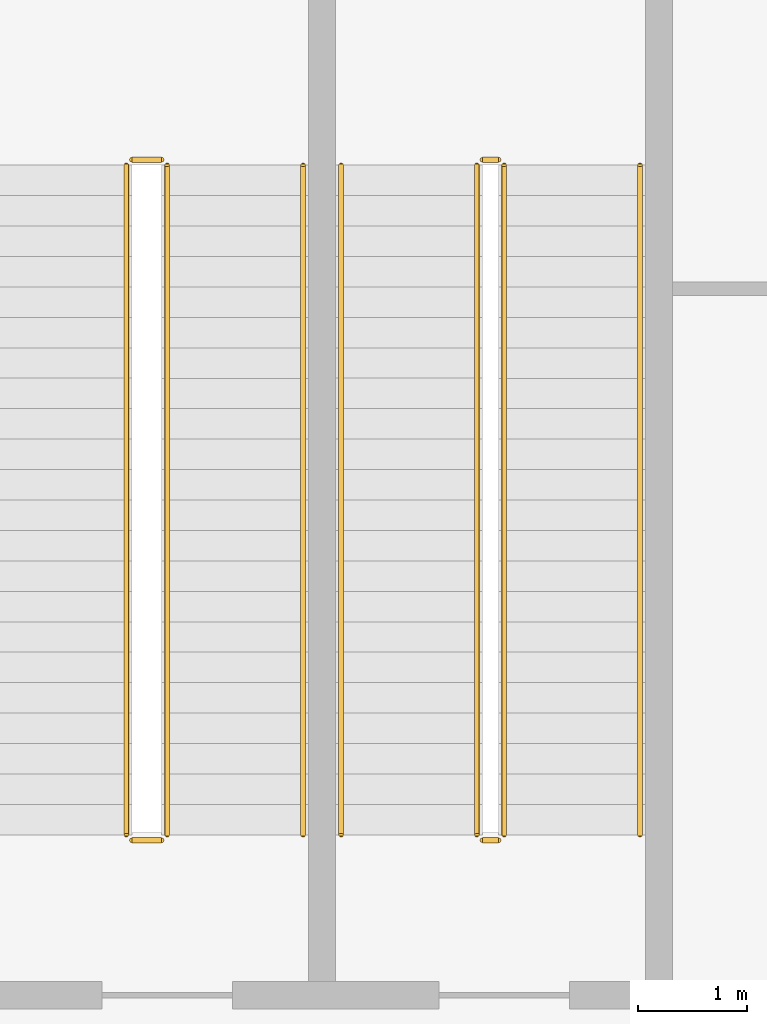
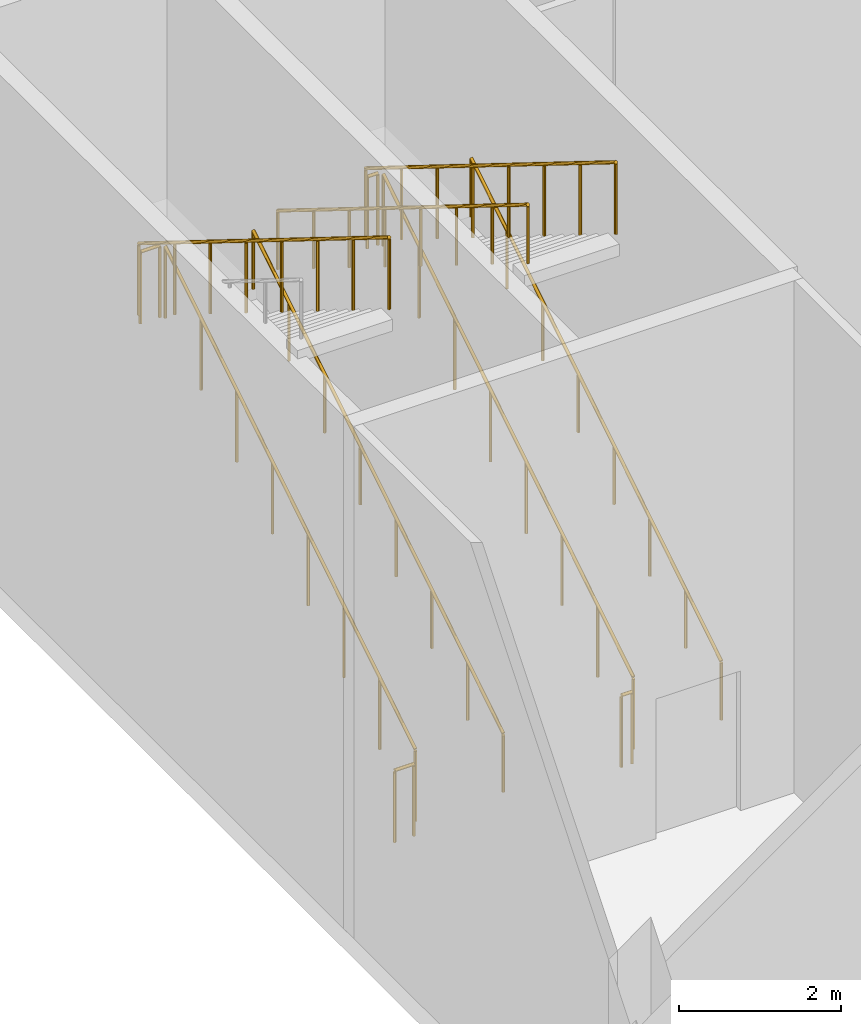
# One storey, part 51 of 52: 11 railings.
"""IFC4 building model written with IfcOpenShell, lengths in metres."""

from ifc_helpers import new_model, si_unit, direction, frame, origin, origin_2d, place, context, subcontext, project, spatial, circle, extrude, material, type_object, element, save


model = new_model("IFC4")

# Units and contexts
model_context = context("Model", 3, precision=1e-05, world=origin(), true_north=direction((0.0, 1.0)))
body_context = subcontext(model_context, "Body", "Model", "MODEL_VIEW")
ifc_project = project(units=[si_unit("LENGTHUNIT", "METRE"), si_unit("AREAUNIT", "SQUARE_METRE"), si_unit("VOLUMEUNIT", "CUBIC_METRE"), si_unit("PLANEANGLEUNIT", "RADIAN"), si_unit("MASSUNIT", "GRAM", prefix="KILO")], contexts=[model_context])

# Site, building, storey
site_placement = place(None, origin())
site = spatial("IfcSite", under=ifc_project, at=site_placement, CompositionType="ELEMENT")
building_placement = place(site_placement, origin())
building = spatial("IfcBuilding", under=site, at=building_placement, Name="Candeia Pilgrim Tower and Theatre", CompositionType="ELEMENT")
storey_placement = place(building_placement, frame((0.0, 0.0, 9.0)))
storey = spatial("IfcBuildingStorey", under=building, at=storey_placement, Name="L01", CompositionType="ELEMENT", Elevation=9.0)

# Railings
ifc_material = material(Name="Steel S355", Category="steel")
railing_type_1 = type_object("IfcRailingType", Name="Guard 1100 steel balustrade", PredefinedType="GUARDRAIL", material=ifc_material)
railing_1_placement = place(storey_placement, frame((177.800048828125, 107.77490234375, 0.173828125)))
element("IfcRailing", 1, at=railing_1_placement, inside=storey, type_object=railing_type_1, Name="L01 TS1 stair guard 1", PredefinedType="GUARDRAIL", context=body_context, shape_type="SweptSolid", body=[
    extrude(circle(Radius=0.02392578125, at=origin_2d()), frame((0.0, 0.0, 1.076171875), z_axis=(0.0, 0.849477832307, 0.527624309921), x_axis=(-1.0, 0.0, 0.0)), (0.0, 0.0, 1.0), 7.251708984375),
    extrude(circle(Radius=0.02099609375, at=origin_2d()), origin(), (0.0, 0.0, 1.0), 1.052001953125),
    extrude(circle(Radius=0.02099609375, at=origin_2d()), frame((0.0, 0.880126953125, 0.546630859375)), (0.0, 0.0, 1.0), 1.052001953125),
    extrude(circle(Radius=0.02099609375, at=origin_2d()), frame((0.0, 1.760009765625, 1.09326171875)), (0.0, 0.0, 1.0), 1.052001953125),
    extrude(circle(Radius=0.02099609375, at=origin_2d()), frame((0.0, 2.64013671875, 1.639892578125)), (0.0, 0.0, 1.0), 1.052001953125),
    extrude(circle(Radius=0.02099609375, at=origin_2d()), frame((0.0, 3.52001953125, 2.186279296875)), (0.0, 0.0, 1.0), 1.052001953125),
    extrude(circle(Radius=0.02099609375, at=origin_2d()), frame((0.0, 4.400146484375, 2.73291015625)), (0.0, 0.0, 1.0), 1.052001953125),
    extrude(circle(Radius=0.02099609375, at=origin_2d()), frame((0.0, 5.280029296875, 3.279541015625)), (0.0, 0.0, 1.0), 1.052001953125),
    extrude(circle(Radius=0.02099609375, at=origin_2d()), frame((0.0, 6.16015625, 3.826171875)), (0.0, 0.0, 1.0), 1.052001953125),
])
railing_2_placement = place(storey_placement, frame((177.75, 113.985107421875, 4.0)))
element("IfcRailing", 2, at=railing_2_placement, inside=storey, type_object=railing_type_1, Name="L01 TS1 stair guard 2", PredefinedType="GUARDRAIL", context=body_context, shape_type="SweptSolid", body=[
    extrude(circle(Radius=0.02392578125, at=origin_2d()), frame((0.0, 0.0, 1.076171875), z_axis=(-1.0, 0.0, 0.0), x_axis=(0.0, -1.0, 0.0)), (0.0, 0.0, 1.0), 0.27490234375),
    extrude(circle(Radius=0.02099609375, at=origin_2d()), origin(), (0.0, 0.0, 1.0), 1.052001953125),
    extrude(circle(Radius=0.02099609375, at=origin_2d()), frame((-0.27490234375, 0.0, 0.0)), (0.0, 0.0, 1.0), 1.052001953125),
])
railing_3_placement = place(storey_placement, frame((177.425048828125, 113.93505859375, 4.173828125)))
element("IfcRailing", 3, at=railing_3_placement, inside=storey, type_object=railing_type_1, Name="L01 TS1 stair guard 3", PredefinedType="GUARDRAIL", context=body_context, shape_type="SweptSolid", body=[
    extrude(circle(Radius=0.02392578125, at=origin_2d()), frame((0.0, 0.0, 1.076171875), z_axis=(0.0, -0.849477832307, 0.527624309921), x_axis=(1.0, 0.0, 0.0)), (0.0, 0.0, 1.0), 7.251708984375),
    extrude(circle(Radius=0.02099609375, at=origin_2d()), origin(), (0.0, 0.0, 1.0), 1.052001953125),
    extrude(circle(Radius=0.02099609375, at=origin_2d()), frame((0.0, -0.880126953125, 0.546630859375)), (0.0, 0.0, 1.0), 1.052001953125),
    extrude(circle(Radius=0.02099609375, at=origin_2d()), frame((0.0, -1.760009765625, 1.09326171875)), (0.0, 0.0, 1.0), 1.052001953125),
    extrude(circle(Radius=0.02099609375, at=origin_2d()), frame((0.0, -2.64013671875, 1.639892578125)), (0.0, 0.0, 1.0), 1.052001953125),
    extrude(circle(Radius=0.02099609375, at=origin_2d()), frame((0.0, -3.52001953125, 2.186279296875)), (0.0, 0.0, 1.0), 1.052001953125),
    extrude(circle(Radius=0.02099609375, at=origin_2d()), frame((0.0, -4.400146484375, 2.73291015625)), (0.0, 0.0, 1.0), 1.052001953125),
    extrude(circle(Radius=0.02099609375, at=origin_2d()), frame((0.0, -5.280029296875, 3.279541015625)), (0.0, 0.0, 1.0), 1.052001953125),
    extrude(circle(Radius=0.02099609375, at=origin_2d()), frame((0.0, -6.16015625, 3.826171875)), (0.0, 0.0, 1.0), 1.052001953125),
])
railing_4_placement = place(storey_placement, frame((177.75, 107.72509765625, 0.0)))
element("IfcRailing", 4, at=railing_4_placement, inside=storey, type_object=railing_type_1, Name="L01 TS1 stair guard 4", PredefinedType="GUARDRAIL", context=body_context, shape_type="SweptSolid", body=[
    extrude(circle(Radius=0.02392578125, at=origin_2d()), frame((0.0, 0.0, 1.076171875), z_axis=(-1.0, 0.0, 0.0), x_axis=(0.0, -1.0, 0.0)), (0.0, 0.0, 1.0), 0.27490234375),
    extrude(circle(Radius=0.02099609375, at=origin_2d()), origin(), (0.0, 0.0, 1.0), 1.052001953125),
    extrude(circle(Radius=0.02099609375, at=origin_2d()), frame((-0.27490234375, 0.0, 0.0)), (0.0, 0.0, 1.0), 1.052001953125),
])
railing_5_placement = place(storey_placement, frame((180.89990234375, 107.77490234375, 0.173828125)))
element("IfcRailing", 5, at=railing_5_placement, inside=storey, type_object=railing_type_1, Name="L01 TS2 stair guard 1", PredefinedType="GUARDRAIL", context=body_context, shape_type="SweptSolid", body=[
    extrude(circle(Radius=0.02392578125, at=origin_2d()), frame((0.0, 0.0, 1.076171875), z_axis=(0.0, 0.849477832307, 0.527624309921), x_axis=(-1.0, 0.0, 0.0)), (0.0, 0.0, 1.0), 7.251708984375),
    extrude(circle(Radius=0.02099609375, at=origin_2d()), origin(), (0.0, 0.0, 1.0), 1.052001953125),
    extrude(circle(Radius=0.02099609375, at=origin_2d()), frame((0.0, 0.880126953125, 0.546630859375)), (0.0, 0.0, 1.0), 1.052001953125),
    extrude(circle(Radius=0.02099609375, at=origin_2d()), frame((0.0, 1.760009765625, 1.09326171875)), (0.0, 0.0, 1.0), 1.052001953125),
    extrude(circle(Radius=0.02099609375, at=origin_2d()), frame((0.0, 2.64013671875, 1.639892578125)), (0.0, 0.0, 1.0), 1.052001953125),
    extrude(circle(Radius=0.02099609375, at=origin_2d()), frame((0.0, 3.52001953125, 2.186279296875)), (0.0, 0.0, 1.0), 1.052001953125),
    extrude(circle(Radius=0.02099609375, at=origin_2d()), frame((0.0, 4.400146484375, 2.73291015625)), (0.0, 0.0, 1.0), 1.052001953125),
    extrude(circle(Radius=0.02099609375, at=origin_2d()), frame((0.0, 5.280029296875, 3.279541015625)), (0.0, 0.0, 1.0), 1.052001953125),
    extrude(circle(Radius=0.02099609375, at=origin_2d()), frame((0.0, 6.16015625, 3.826171875)), (0.0, 0.0, 1.0), 1.052001953125),
])
railing_6_placement = place(storey_placement, frame((180.85009765625, 113.985107421875, 4.0)))
element("IfcRailing", 6, at=railing_6_placement, inside=storey, type_object=railing_type_1, Name="L01 TS2 stair guard 2", PredefinedType="GUARDRAIL", context=body_context, shape_type="SweptSolid", body=[
    extrude(circle(Radius=0.02392578125, at=origin_2d()), frame((0.0, 0.0, 1.076171875), z_axis=(-1.0, 0.0, 0.0), x_axis=(0.0, -1.0, 0.0)), (0.0, 0.0, 1.0), 0.150146484375),
    extrude(circle(Radius=0.02099609375, at=origin_2d()), origin(), (0.0, 0.0, 1.0), 1.052001953125),
    extrude(circle(Radius=0.02099609375, at=origin_2d()), frame((-0.150146484375, 0.0, 0.0)), (0.0, 0.0, 1.0), 1.052001953125),
])
railing_7_placement = place(storey_placement, frame((180.64990234375, 113.93505859375, 4.173828125)))
element("IfcRailing", 7, at=railing_7_placement, inside=storey, type_object=railing_type_1, Name="L01 TS2 stair guard 3", PredefinedType="GUARDRAIL", context=body_context, shape_type="SweptSolid", body=[
    extrude(circle(Radius=0.02392578125, at=origin_2d()), frame((0.0, 0.0, 1.076171875), z_axis=(0.0, -0.849477832307, 0.527624309921), x_axis=(1.0, 0.0, 0.0)), (0.0, 0.0, 1.0), 7.251708984375),
    extrude(circle(Radius=0.02099609375, at=origin_2d()), origin(), (0.0, 0.0, 1.0), 1.052001953125),
    extrude(circle(Radius=0.02099609375, at=origin_2d()), frame((0.0, -0.880126953125, 0.546630859375)), (0.0, 0.0, 1.0), 1.052001953125),
    extrude(circle(Radius=0.02099609375, at=origin_2d()), frame((0.0, -1.760009765625, 1.09326171875)), (0.0, 0.0, 1.0), 1.052001953125),
    extrude(circle(Radius=0.02099609375, at=origin_2d()), frame((0.0, -2.64013671875, 1.639892578125)), (0.0, 0.0, 1.0), 1.052001953125),
    extrude(circle(Radius=0.02099609375, at=origin_2d()), frame((0.0, -3.52001953125, 2.186279296875)), (0.0, 0.0, 1.0), 1.052001953125),
    extrude(circle(Radius=0.02099609375, at=origin_2d()), frame((0.0, -4.400146484375, 2.73291015625)), (0.0, 0.0, 1.0), 1.052001953125),
    extrude(circle(Radius=0.02099609375, at=origin_2d()), frame((0.0, -5.280029296875, 3.279541015625)), (0.0, 0.0, 1.0), 1.052001953125),
    extrude(circle(Radius=0.02099609375, at=origin_2d()), frame((0.0, -6.16015625, 3.826171875)), (0.0, 0.0, 1.0), 1.052001953125),
])
railing_8_placement = place(storey_placement, frame((180.85009765625, 107.72509765625, 0.0)))
element("IfcRailing", 8, at=railing_8_placement, inside=storey, type_object=railing_type_1, Name="L01 TS2 stair guard 4", PredefinedType="GUARDRAIL", context=body_context, shape_type="SweptSolid", body=[
    extrude(circle(Radius=0.02392578125, at=origin_2d()), frame((0.0, 0.0, 1.076171875), z_axis=(-1.0, 0.0, 0.0), x_axis=(0.0, -1.0, 0.0)), (0.0, 0.0, 1.0), 0.150146484375),
    extrude(circle(Radius=0.02099609375, at=origin_2d()), origin(), (0.0, 0.0, 1.0), 1.052001953125),
    extrude(circle(Radius=0.02099609375, at=origin_2d()), frame((-0.150146484375, 0.0, 0.0)), (0.0, 0.0, 1.0), 1.052001953125),
])
railing_type_2 = type_object("IfcRailingType", Name="Handrail 900 steel", PredefinedType="HANDRAIL", material=ifc_material)
for number, where, name in (
    (9, (179.050048828125, 107.77490234375, 0.173828125), "L01 TS1 stair handrail 1"),
    (10, (182.14990234375, 107.77490234375, 0.173828125), "L01 TS2 stair handrail 1"),
):
    element("IfcRailing", number, at=place(storey_placement, frame(where)), inside=storey, type_object=railing_type_2, Name=name, PredefinedType="HANDRAIL", context=body_context, shape_type="SweptSolid", body=[
        extrude(circle(Radius=0.02392578125, at=origin_2d()), frame((0.0, 0.0, 0.8759765625), z_axis=(0.0, 0.849477832307, 0.527624309921), x_axis=(-1.0, 0.0, 0.0)), (0.0, 0.0, 1.0), 7.251708984375),
        extrude(circle(Radius=0.02099609375, at=origin_2d()), origin(), (0.0, 0.0, 1.0), 0.851806640625),
        extrude(circle(Radius=0.02099609375, at=origin_2d()), frame((0.0, 0.880126953125, 0.546630859375)), (0.0, 0.0, 1.0), 0.851806640625),
        extrude(circle(Radius=0.02099609375, at=origin_2d()), frame((0.0, 1.760009765625, 1.09326171875)), (0.0, 0.0, 1.0), 0.851806640625),
        extrude(circle(Radius=0.02099609375, at=origin_2d()), frame((0.0, 2.64013671875, 1.639892578125)), (0.0, 0.0, 1.0), 0.851806640625),
        extrude(circle(Radius=0.02099609375, at=origin_2d()), frame((0.0, 3.52001953125, 2.186279296875)), (0.0, 0.0, 1.0), 0.851806640625),
        extrude(circle(Radius=0.02099609375, at=origin_2d()), frame((0.0, 4.400146484375, 2.73291015625)), (0.0, 0.0, 1.0), 0.851806640625),
        extrude(circle(Radius=0.02099609375, at=origin_2d()), frame((0.0, 5.280029296875, 3.279541015625)), (0.0, 0.0, 1.0), 0.851806640625),
        extrude(circle(Radius=0.02099609375, at=origin_2d()), frame((0.0, 6.16015625, 3.826171875)), (0.0, 0.0, 1.0), 0.851806640625),
    ])
railing_9_placement = place(storey_placement, frame((179.39990234375, 113.93505859375, 4.173828125)))
element("IfcRailing", 11, at=railing_9_placement, inside=storey, type_object=railing_type_2, Name="L01 TS2 stair handrail 2", PredefinedType="HANDRAIL", context=body_context, shape_type="SweptSolid", body=[
    extrude(circle(Radius=0.02392578125, at=origin_2d()), frame((0.0, 0.0, 0.8759765625), z_axis=(0.0, -0.849477832307, 0.527624309921), x_axis=(1.0, 0.0, 0.0)), (0.0, 0.0, 1.0), 7.251708984375),
    extrude(circle(Radius=0.02099609375, at=origin_2d()), origin(), (0.0, 0.0, 1.0), 0.851806640625),
    extrude(circle(Radius=0.02099609375, at=origin_2d()), frame((0.0, -0.880126953125, 0.546630859375)), (0.0, 0.0, 1.0), 0.851806640625),
    extrude(circle(Radius=0.02099609375, at=origin_2d()), frame((0.0, -1.760009765625, 1.09326171875)), (0.0, 0.0, 1.0), 0.851806640625),
    extrude(circle(Radius=0.02099609375, at=origin_2d()), frame((0.0, -2.64013671875, 1.639892578125)), (0.0, 0.0, 1.0), 0.851806640625),
    extrude(circle(Radius=0.02099609375, at=origin_2d()), frame((0.0, -3.52001953125, 2.186279296875)), (0.0, 0.0, 1.0), 0.851806640625),
    extrude(circle(Radius=0.02099609375, at=origin_2d()), frame((0.0, -4.400146484375, 2.73291015625)), (0.0, 0.0, 1.0), 0.851806640625),
    extrude(circle(Radius=0.02099609375, at=origin_2d()), frame((0.0, -5.280029296875, 3.279541015625)), (0.0, 0.0, 1.0), 0.851806640625),
    extrude(circle(Radius=0.02099609375, at=origin_2d()), frame((0.0, -6.16015625, 3.826171875)), (0.0, 0.0, 1.0), 0.851806640625),
])

save(model, "model.ifc")
